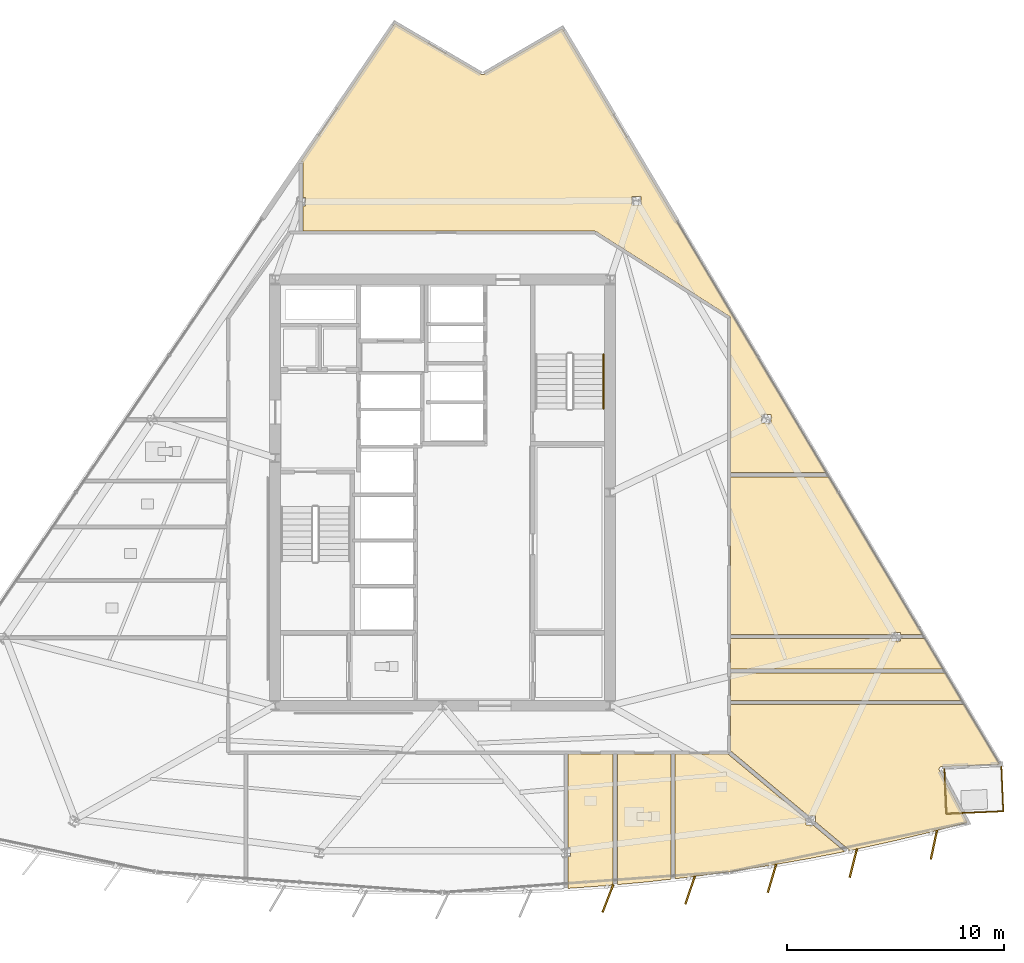
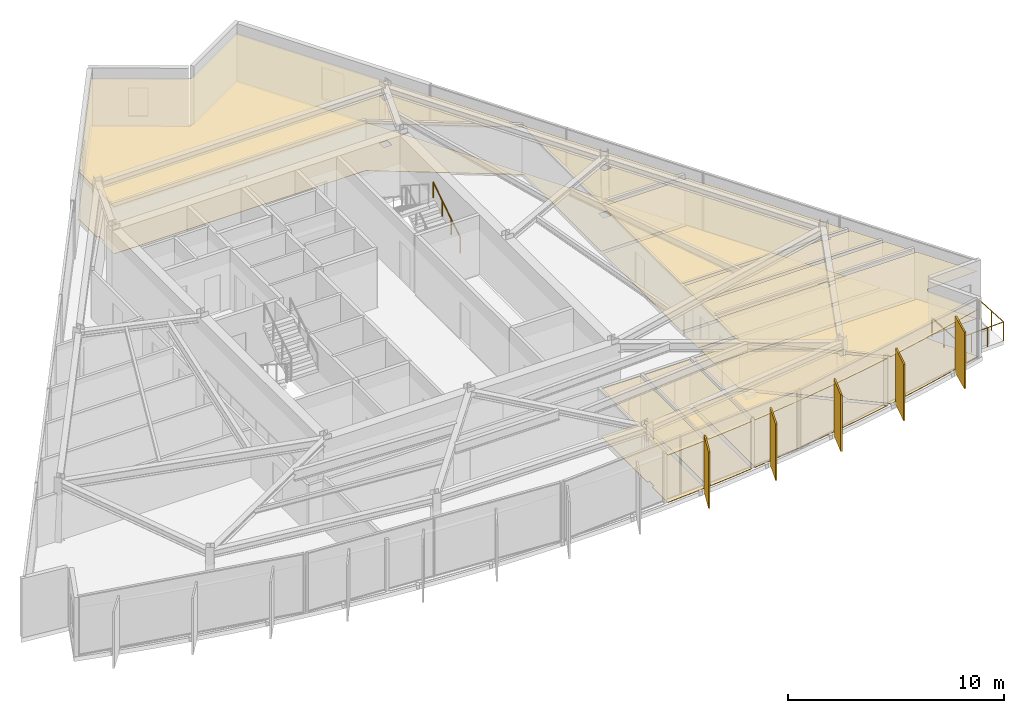
# One storey, part 14 of 15: 16 coverings, 5 shading devices, 4 railings.
"""IFC4 building model written with IfcOpenShell, lengths in metres."""

from ifc_helpers import new_model, si_unit, direction, frame, origin, origin_2d, place, context, subcontext, project, spatial, polyline, rectangle, circle, outline, extrude, material, layer, layer_set, type_object, element, save


model = new_model("IFC4")

# Units and contexts
model_context = context("Model", 3, precision=1e-05, world=origin(), true_north=direction((0.0, 1.0)))
body_context = subcontext(model_context, "Body", "Model", "MODEL_VIEW")
ifc_project = project(units=[si_unit("LENGTHUNIT", "METRE"), si_unit("AREAUNIT", "SQUARE_METRE"), si_unit("VOLUMEUNIT", "CUBIC_METRE"), si_unit("PLANEANGLEUNIT", "RADIAN"), si_unit("MASSUNIT", "GRAM", prefix="KILO")], contexts=[model_context])

# Site, building, storey
site_placement = place(None, origin())
site = spatial("IfcSite", under=ifc_project, at=site_placement, CompositionType="ELEMENT")
building_placement = place(site_placement, origin())
building = spatial("IfcBuilding", under=site, at=building_placement, Name="Savorim Split Tower", CompositionType="ELEMENT")
storey_placement = place(building_placement, frame((0.0, 0.0, 198.300048828125)))
storey = spatial("IfcBuildingStorey", under=building, at=storey_placement, Name="L52", CompositionType="ELEMENT", Elevation=198.300048828125)

# Coverings
ifc_material_1 = material(Name="Mineral Fibre Acoustic Ceiling")
ifc_layer_1 = layer(ifc_material_1, 0.02490234375)
ifc_layer_set_1 = layer_set([ifc_layer_1], Name="COV-CEIL-25")
covering_type_1 = type_object("IfcCoveringType", Name="COV-CEIL-25", PredefinedType="CEILING", material=ifc_layer_set_1)
covering_1_placement = place(storey_placement, frame((0.0, 0.0, 2.669921875)))
element("IfcCovering", 1, at=covering_1_placement, inside=storey, type_object=covering_type_1, Name="L52 Shared Kitchen Acoustic Ceiling", PredefinedType="CEILING", context=body_context, shape_type="SweptSolid", body=[
    extrude(outline(polyline([(5.76953125, -17.7578125), (5.76953125, -17.801025390625), (7.55078125, -17.673095703125), (7.84716796875, -17.645751953125), (7.84716796875, -11.6201171875), (5.76953125, -11.6201171875), (5.76953125, -15.921630859375), (5.883544921875, -15.921630859375), (5.883544921875, -16.32861328125), (5.76953125, -16.32861328125), (5.76953125, -17.7578125)])), origin(), (0.0, 0.0, 1.0), 0.025146484375),
])
covering_2_placement = place(storey_placement, frame((0.0, 0.0, 2.669921875)))
element("IfcCovering", 2, at=covering_2_placement, inside=storey, type_object=covering_type_1, Name="L52 Shared Bathroom Acoustic Ceiling", PredefinedType="CEILING", context=body_context, shape_type="SweptSolid", body=[
    extrude(outline(polyline([(8.037109375, -11.6201171875), (8.037109375, -17.62841796875), (9.4326171875, -17.49951171875), (10.5048828125, -17.378173828125), (10.5048828125, -11.6201171875), (8.037109375, -11.6201171875)])), origin(), (0.0, 0.0, 1.0), 0.025146484375),
])
covering_3_placement = place(storey_placement, frame((0.0, 0.0, 2.669921875)))
element("IfcCovering", 3, at=covering_3_placement, inside=storey, type_object=covering_type_1, Name="L52 Shared Kitchen Acoustic Ceiling", PredefinedType="CEILING", context=body_context, shape_type="SweptSolid", body=[
    extrude(outline(polyline([(11.310302734375, -17.287109375), (13.18359375, -17.03662109375), (15.051025390625, -16.74755859375), (16.912353515625, -16.420654296875), (18.49365234375, -16.109130859375), (17.026611328125, -14.88330078125), (16.72216796875, -14.88330078125), (16.72216796875, -14.62890625), (13.147216796875, -11.6416015625), (13.119384765625, -11.618408203125), (13.11376953125, -11.619384765625), (13.10009765625, -11.6201171875), (10.69482421875, -11.6201171875), (10.69482421875, -17.356689453125), (11.310302734375, -17.287109375)])), origin(), (0.0, 0.0, 1.0), 0.025146484375),
])
covering_4_placement = place(storey_placement, frame((0.0, 0.0, 2.669921875)))
element("IfcCovering", 4, at=covering_4_placement, inside=storey, type_object=covering_type_1, Name="L52 Co-Working Commons Acoustic Ceiling", PredefinedType="CEILING", context=body_context, shape_type="SweptSolid", body=[
    extrude(outline(polyline([(22.926513671875, -12.2060546875), (22.93798828125, -12.203857421875), (22.949462890625, -12.202880859375), (25.611083984375, -12.089599609375), (23.978759765625, -9.34423828125), (13.239990234375, -9.34423828125), (13.239990234375, -11.4716796875), (16.8359375, -14.476318359375), (17.14013671875, -14.476318359375), (17.14013671875, -14.730712890625), (18.625, -15.971435546875), (18.697998046875, -16.032470703125), (18.661376953125, -16.076171875), (18.7666015625, -16.055419921875), (20.61279296875, -15.652587890625), (22.450439453125, -15.2119140625), (24.132568359375, -14.772216796875), (22.848876953125, -12.37939453125), (22.84375, -12.368896484375), (22.83984375, -12.358154296875), (22.8369140625, -12.346923828125), (22.835205078125, -12.335693359375), (22.83447265625, -12.32421875), (22.8349609375, -12.3125), (22.83642578125, -12.301025390625), (22.839111328125, -12.289794921875), (22.8427734375, -12.27880859375), (22.847412109375, -12.268310546875), (22.853271484375, -12.25830078125), (22.85986328125, -12.248779296875), (22.867431640625, -12.240234375), (22.875732421875, -12.232177734375), (22.884765625, -12.22509765625), (22.89453125, -12.21875), (22.90478515625, -12.21337890625), (22.91552734375, -12.209228515625), (22.926513671875, -12.2060546875)])), origin(), (0.0, 0.0, 1.0), 0.025146484375),
])
covering_5_placement = place(storey_placement, frame((0.0, 0.0, 2.669921875)))
element("IfcCovering", 5, at=covering_5_placement, inside=storey, type_object=covering_type_1, Name="L52 Co-Living Bedroom Acoustic Ceiling", PredefinedType="CEILING", context=body_context, shape_type="SweptSolid", body=[
    extrude(outline(polyline([(23.86572265625, -9.154296875), (23.115966796875, -7.893310546875), (13.239990234375, -7.893310546875), (13.239990234375, -9.154296875), (23.86572265625, -9.154296875)])), origin(), (0.0, 0.0, 1.0), 0.025146484375),
])
covering_6_placement = place(storey_placement, frame((0.0, 0.0, 2.669921875)))
element("IfcCovering", 6, at=covering_6_placement, inside=storey, type_object=covering_type_1, Name="L52 Quiet Study Room Acoustic Ceiling", PredefinedType="CEILING", context=body_context, shape_type="SweptSolid", body=[
    extrude(outline(polyline([(20.634033203125, -6.42919921875), (20.634033203125, -6.320556640625), (13.239990234375, -6.320556640625), (13.239990234375, -7.703125), (23.0029296875, -7.703125), (22.1611328125, -6.28759765625), (22.1611328125, -6.320556640625), (21.052001953125, -6.320556640625), (21.052001953125, -6.42919921875), (20.634033203125, -6.42919921875)])), origin(), (0.0, 0.0, 1.0), 0.025146484375),
])
covering_7_placement = place(storey_placement, frame((0.0, 0.0, 2.669921875)))
element("IfcCovering", 7, at=covering_7_placement, inside=storey, type_object=covering_type_1, Name="L52 Maker Workshop Acoustic Ceiling", PredefinedType="CEILING", context=body_context, shape_type="SweptSolid", body=[
    extrude(outline(polyline([(21.052001953125, -6.130615234375), (22.066162109375, -6.130615234375), (22.06787109375, -6.130615234375), (17.752197265625, 1.12744140625), (13.239990234375, 1.12744140625), (13.239990234375, -6.130615234375), (20.634033203125, -6.130615234375), (20.634033203125, -6.022216796875), (21.052001953125, -6.022216796875), (21.052001953125, -6.130615234375)])), origin(), (0.0, 0.0, 1.0), 0.025146484375),
])
covering_8_placement = place(storey_placement, frame((0.0, 0.0, 2.669921875)))
element("IfcCovering", 8, at=covering_8_placement, inside=storey, type_object=covering_type_1, Name="L52 Co-Working Commons Acoustic Ceiling", PredefinedType="CEILING", context=body_context, shape_type="SweptSolid", body=[
    extrude(outline(polyline([(1.800537109375, 19.626708984375), (1.789794921875, 19.631103515625), (1.779541015625, 19.636474609375), (-2.197021484375, 21.9736328125), (-6.514404296875, 15.626708984375), (-6.423583984375, 15.626708984375), (-6.423583984375, 13.9794921875), (-6.309814453125, 13.9794921875), (-6.309814453125, 13.572509765625), (-6.423583984375, 13.572509765625), (-6.423583984375, 12.419921875), (7.0, 12.419921875), (7.01318359375, 12.41943359375), (7.0263671875, 12.41748046875), (7.0390625, 12.414306640625), (7.051513671875, 12.41015625), (7.063720703125, 12.40478515625), (7.0751953125, 12.398193359375), (13.175048828125, 8.51806640625), (13.1865234375, 8.510009765625), (13.197265625, 8.500732421875), (13.206787109375, 8.490478515625), (13.21533203125, 8.479248046875), (13.22265625, 8.46728515625), (13.22900390625, 8.45458984375), (13.233642578125, 8.44140625), (13.2373046875, 8.427978515625), (13.2392578125, 8.4140625), (13.239990234375, 8.39990234375), (13.239990234375, 1.3173828125), (17.63916015625, 1.3173828125), (5.499267578125, 21.7333984375), (1.90087890625, 19.63623046875), (1.890625, 19.631103515625), (1.8798828125, 19.626708984375), (1.868896484375, 19.623291015625), (1.857421875, 19.62109375), (1.845947265625, 19.6201171875), (1.83447265625, 19.6201171875), (1.822998046875, 19.621337890625), (1.8115234375, 19.62353515625), (1.800537109375, 19.626708984375)]), holes=[polyline([(15.0908203125, 3.595947265625), (15.0908203125, 4.0029296875), (14.6728515625, 4.0029296875), (14.6728515625, 3.595947265625), (15.0908203125, 3.595947265625)]), polyline([(9.129638671875, 14.0283203125), (8.711669921875, 14.0283203125), (8.711669921875, 13.62109375), (9.129638671875, 13.62109375), (9.129638671875, 14.0283203125)])]), origin(), (0.0, 0.0, 1.0), 0.025146484375),
])
ifc_material_2 = material(Name="Porcelain Stoneware Flooring", Category="masonry")
ifc_layer_2 = layer(ifc_material_2, 0.02001953125)
ifc_layer_set_2 = layer_set([ifc_layer_2], Name="COV-FLOR-20")
covering_type_2 = type_object("IfcCoveringType", Name="COV-FLOR-20", PredefinedType="FLOORING", material=ifc_layer_set_2)
covering_9_placement = place(storey_placement, origin())
element("IfcCovering", 9, at=covering_9_placement, inside=storey, type_object=covering_type_2, Name="L52 Shared Kitchen Porcelain Flooring", PredefinedType="FLOORING", context=body_context, shape_type="SweptSolid", body=[
    extrude(outline(polyline([(5.76953125, -17.7578125), (5.76953125, -17.801025390625), (7.55078125, -17.673095703125), (7.84716796875, -17.645751953125), (7.84716796875, -11.6201171875), (5.76953125, -11.6201171875), (5.76953125, -15.921630859375), (5.883544921875, -15.921630859375), (5.883544921875, -16.32861328125), (5.76953125, -16.32861328125), (5.76953125, -17.7578125)])), origin(), (0.0, 0.0, 1.0), 0.02001953125),
])
covering_10_placement = place(storey_placement, origin())
element("IfcCovering", 10, at=covering_10_placement, inside=storey, type_object=covering_type_2, Name="L52 Shared Bathroom Porcelain Flooring", PredefinedType="FLOORING", context=body_context, shape_type="SweptSolid", body=[
    extrude(outline(polyline([(8.037109375, -11.6201171875), (8.037109375, -17.62841796875), (9.4326171875, -17.49951171875), (10.5048828125, -17.378173828125), (10.5048828125, -11.6201171875), (8.037109375, -11.6201171875)])), origin(), (0.0, 0.0, 1.0), 0.02001953125),
])
covering_11_placement = place(storey_placement, origin())
element("IfcCovering", 11, at=covering_11_placement, inside=storey, type_object=covering_type_2, Name="L52 Shared Kitchen Porcelain Flooring", PredefinedType="FLOORING", context=body_context, shape_type="SweptSolid", body=[
    extrude(outline(polyline([(11.310302734375, -17.287109375), (13.18359375, -17.03662109375), (15.051025390625, -16.74755859375), (16.912353515625, -16.420654296875), (18.49365234375, -16.109130859375), (17.026611328125, -14.88330078125), (16.72216796875, -14.88330078125), (16.72216796875, -14.62890625), (13.147216796875, -11.6416015625), (13.119384765625, -11.618408203125), (13.11376953125, -11.619384765625), (13.10009765625, -11.6201171875), (10.69482421875, -11.6201171875), (10.69482421875, -17.356689453125), (11.310302734375, -17.287109375)])), origin(), (0.0, 0.0, 1.0), 0.02001953125),
])
covering_12_placement = place(storey_placement, origin())
element("IfcCovering", 12, at=covering_12_placement, inside=storey, type_object=covering_type_2, Name="L52 Co-Working Commons Porcelain Flooring", PredefinedType="FLOORING", context=body_context, shape_type="SweptSolid", body=[
    extrude(outline(polyline([(22.926513671875, -12.2060546875), (22.93798828125, -12.203857421875), (22.949462890625, -12.202880859375), (25.611083984375, -12.089599609375), (23.978759765625, -9.34423828125), (13.239990234375, -9.34423828125), (13.239990234375, -11.4716796875), (16.8359375, -14.476318359375), (17.14013671875, -14.476318359375), (17.14013671875, -14.730712890625), (18.625, -15.971435546875), (18.697998046875, -16.032470703125), (18.661376953125, -16.076171875), (18.7666015625, -16.055419921875), (20.61279296875, -15.652587890625), (22.450439453125, -15.2119140625), (24.132568359375, -14.772216796875), (22.848876953125, -12.37939453125), (22.84375, -12.368896484375), (22.83984375, -12.358154296875), (22.8369140625, -12.346923828125), (22.835205078125, -12.335693359375), (22.83447265625, -12.32421875), (22.8349609375, -12.3125), (22.83642578125, -12.301025390625), (22.839111328125, -12.289794921875), (22.8427734375, -12.27880859375), (22.847412109375, -12.268310546875), (22.853271484375, -12.25830078125), (22.85986328125, -12.248779296875), (22.867431640625, -12.240234375), (22.875732421875, -12.232177734375), (22.884765625, -12.22509765625), (22.89453125, -12.21875), (22.90478515625, -12.21337890625), (22.91552734375, -12.209228515625), (22.926513671875, -12.2060546875)])), origin(), (0.0, 0.0, 1.0), 0.02001953125),
])
covering_13_placement = place(storey_placement, origin())
element("IfcCovering", 13, at=covering_13_placement, inside=storey, type_object=covering_type_2, Name="L52 Co-Living Bedroom Porcelain Flooring", PredefinedType="FLOORING", context=body_context, shape_type="SweptSolid", body=[
    extrude(outline(polyline([(23.86572265625, -9.154296875), (23.115966796875, -7.893310546875), (13.239990234375, -7.893310546875), (13.239990234375, -9.154296875), (23.86572265625, -9.154296875)])), origin(), (0.0, 0.0, 1.0), 0.02001953125),
])
covering_14_placement = place(storey_placement, origin())
element("IfcCovering", 14, at=covering_14_placement, inside=storey, type_object=covering_type_2, Name="L52 Quiet Study Room Porcelain Flooring", PredefinedType="FLOORING", context=body_context, shape_type="SweptSolid", body=[
    extrude(outline(polyline([(20.634033203125, -6.42919921875), (20.634033203125, -6.320556640625), (13.239990234375, -6.320556640625), (13.239990234375, -7.703125), (23.0029296875, -7.703125), (22.1611328125, -6.28759765625), (22.1611328125, -6.320556640625), (21.052001953125, -6.320556640625), (21.052001953125, -6.42919921875), (20.634033203125, -6.42919921875)])), origin(), (0.0, 0.0, 1.0), 0.02001953125),
])
covering_15_placement = place(storey_placement, origin())
element("IfcCovering", 15, at=covering_15_placement, inside=storey, type_object=covering_type_2, Name="L52 Maker Workshop Porcelain Flooring", PredefinedType="FLOORING", context=body_context, shape_type="SweptSolid", body=[
    extrude(outline(polyline([(21.052001953125, -6.130615234375), (22.066162109375, -6.130615234375), (22.06787109375, -6.130615234375), (17.752197265625, 1.12744140625), (13.239990234375, 1.12744140625), (13.239990234375, -6.130615234375), (20.634033203125, -6.130615234375), (20.634033203125, -6.022216796875), (21.052001953125, -6.022216796875), (21.052001953125, -6.130615234375)])), origin(), (0.0, 0.0, 1.0), 0.02001953125),
])
covering_16_placement = place(storey_placement, origin())
element("IfcCovering", 16, at=covering_16_placement, inside=storey, type_object=covering_type_2, Name="L52 Co-Working Commons Porcelain Flooring", PredefinedType="FLOORING", context=body_context, shape_type="SweptSolid", body=[
    extrude(outline(polyline([(1.800537109375, 19.626708984375), (1.789794921875, 19.631103515625), (1.779541015625, 19.636474609375), (-2.197021484375, 21.9736328125), (-6.514404296875, 15.626708984375), (-6.423583984375, 15.626708984375), (-6.423583984375, 13.9794921875), (-6.309814453125, 13.9794921875), (-6.309814453125, 13.572509765625), (-6.423583984375, 13.572509765625), (-6.423583984375, 12.419921875), (7.0, 12.419921875), (7.01318359375, 12.41943359375), (7.0263671875, 12.41748046875), (7.0390625, 12.414306640625), (7.051513671875, 12.41015625), (7.063720703125, 12.40478515625), (7.0751953125, 12.398193359375), (13.175048828125, 8.51806640625), (13.1865234375, 8.510009765625), (13.197265625, 8.500732421875), (13.206787109375, 8.490478515625), (13.21533203125, 8.479248046875), (13.22265625, 8.46728515625), (13.22900390625, 8.45458984375), (13.233642578125, 8.44140625), (13.2373046875, 8.427978515625), (13.2392578125, 8.4140625), (13.239990234375, 8.39990234375), (13.239990234375, 1.3173828125), (17.63916015625, 1.3173828125), (5.499267578125, 21.7333984375), (1.90087890625, 19.63623046875), (1.890625, 19.631103515625), (1.8798828125, 19.626708984375), (1.868896484375, 19.623291015625), (1.857421875, 19.62109375), (1.845947265625, 19.6201171875), (1.83447265625, 19.6201171875), (1.822998046875, 19.621337890625), (1.8115234375, 19.62353515625), (1.800537109375, 19.626708984375)]), holes=[polyline([(15.0908203125, 3.595947265625), (15.0908203125, 4.0029296875), (14.6728515625, 4.0029296875), (14.6728515625, 3.595947265625), (15.0908203125, 3.595947265625)]), polyline([(9.129638671875, 14.0283203125), (8.711669921875, 14.0283203125), (8.711669921875, 13.62109375), (9.129638671875, 13.62109375), (9.129638671875, 14.0283203125)])]), origin(), (0.0, 0.0, 1.0), 0.02001953125),
])

# Railings
ifc_material_3 = material(Name="Galvanised Painted Steel Balustrade", Category="steel")
railing_type_1 = type_object("IfcRailingType", Name="RLG-BAL-1100", PredefinedType="BALUSTRADE", material=ifc_material_3)
railing_1_placement = place(storey_placement, frame((25.697021484375, -12.2060546875, 0.0)))
element("IfcRailing", 17, at=railing_1_placement, inside=storey, type_object=railing_type_1, Name="L52 Tree Balcony Guardrail SE-1", PredefinedType="BALUSTRADE", context=body_context, shape_type="SweptSolid", body=[
    extrude(circle(Radius=0.02392578125, at=origin_2d()), frame((0.0, 0.0, 1.076171875), z_axis=(0.042517246, -0.999095733047, 0.0), x_axis=(0.999095733047, 0.042517246, 0.0)), (0.0, 0.0, 1.0), 2.050048828125),
    extrude(circle(Radius=0.02099609375, at=origin_2d()), origin(), (0.0, 0.0, 1.0), 1.052001953125),
    extrude(circle(Radius=0.02099609375, at=origin_2d()), frame((0.04345703125, -1.02392578125, 0.0)), (0.0, 0.0, 1.0), 1.052001953125),
    extrude(circle(Radius=0.02099609375, at=origin_2d()), frame((0.087158203125, -2.048095703125, 0.0)), (0.0, 0.0, 1.0), 1.052001953125),
])
railing_2_placement = place(storey_placement, frame((25.7841796875, -14.254150390625, 0.0)))
element("IfcRailing", 18, at=railing_2_placement, inside=storey, type_object=railing_type_1, Name="L52 Tree Balcony Guardrail SE-2", PredefinedType="BALUSTRADE", context=body_context, shape_type="SweptSolid", body=[
    extrude(circle(Radius=0.02392578125, at=origin_2d()), frame((0.0, 0.0, 1.076171875), z_axis=(-0.999096260916, -0.042504839996, 0.0), x_axis=(0.042504839996, -0.999096260916, 0.0)), (0.0, 0.0, 1.0), 2.625),
    extrude(circle(Radius=0.02099609375, at=origin_2d()), origin(), (0.0, 0.0, 1.0), 1.052001953125),
    extrude(circle(Radius=0.02099609375, at=origin_2d()), frame((-0.874267578125, -0.037109375, 0.0)), (0.0, 0.0, 1.0), 1.052001953125),
    extrude(circle(Radius=0.02099609375, at=origin_2d()), frame((-1.748291015625, -0.074462890625, 0.0)), (0.0, 0.0, 1.0), 1.052001953125),
    extrude(circle(Radius=0.02099609375, at=origin_2d()), frame((-2.62255859375, -0.111572265625, 0.0)), (0.0, 0.0, 1.0), 1.052001953125),
])
railing_3_placement = place(storey_placement, frame((23.16162109375, -14.36572265625, 0.0)))
element("IfcRailing", 19, at=railing_3_placement, inside=storey, type_object=railing_type_1, Name="L52 Tree Balcony Guardrail SE-3", PredefinedType="BALUSTRADE", context=body_context, shape_type="SweptSolid", body=[
    extrude(circle(Radius=0.02392578125, at=origin_2d()), frame((0.0, 0.0, 1.076171875), z_axis=(-0.042517246, 0.999095733047, 0.0), x_axis=(-0.999095733047, -0.042517246, 0.0)), (0.0, 0.0, 1.0), 2.050048828125),
    extrude(circle(Radius=0.02099609375, at=origin_2d()), origin(), (0.0, 0.0, 1.0), 1.052001953125),
    extrude(circle(Radius=0.02099609375, at=origin_2d()), frame((-0.04345703125, 1.02392578125, 0.0)), (0.0, 0.0, 1.0), 1.052001953125),
    extrude(circle(Radius=0.02099609375, at=origin_2d()), frame((-0.087158203125, 2.048095703125, 0.0)), (0.0, 0.0, 1.0), 1.052001953125),
])
railing_type_2 = type_object("IfcRailingType", Name="RLG-HR-900", PredefinedType="HANDRAIL", material=ifc_material_3)
railing_4_placement = place(storey_placement, frame((7.39990234375, 4.25, 0.179931640625)))
element("IfcRailing", 20, at=railing_4_placement, inside=storey, type_object=railing_type_2, Name="L52 ST-2 stair handrail 1", PredefinedType="HANDRAIL", context=body_context, shape_type="SweptSolid", body=[
    extrude(circle(Radius=0.02392578125, at=origin_2d()), frame((0.0, 0.0, 0.8759765625), z_axis=(0.0, 0.841162588446, 0.540782303519), x_axis=(-1.0, 0.0, 0.0)), (0.0, 0.0, 1.0), 2.995849609375),
    extrude(circle(Radius=0.02099609375, at=origin_2d()), origin(), (0.0, 0.0, 1.0), 0.851806640625),
    extrude(circle(Radius=0.02099609375, at=origin_2d()), frame((0.0, 0.840087890625, 0.5400390625)), (0.0, 0.0, 1.0), 0.851806640625),
    extrude(circle(Radius=0.02099609375, at=origin_2d()), frame((0.0, 1.679931640625, 1.080078125)), (0.0, 0.0, 1.0), 0.851806640625),
    extrude(circle(Radius=0.02099609375, at=origin_2d()), frame((0.0, 2.52001953125, 1.6201171875)), (0.0, 0.0, 1.0), 0.851806640625),
])

# Shading devices
ifc_material_4 = material(Name="Terracotta Ceramic-Coated Aluminium Fin", Category="masonry")
shading_device_type = type_object("IfcShadingDeviceType", Name="SHD-FIN-1360", PredefinedType="USERDEFINED", material=ifc_material_4)
for number, where, z_axis, x_axis, name in (
    (21, (7.599609375, -18.26708984375, -0.2001953125), (0.0, 0.0, 1.0), (-0.363415461732, -0.931627179817, 0.0), "L52 Sawtooth Shading Fin 09"),
    (22, (11.38330078125, -17.878662109375, -0.2001953125), (0.0, 0.0, 1.0), (-0.324993810493, -0.945716143005, 0.0), "L52 Sawtooth Shading Fin 10"),
    (23, (15.148193359375, -17.335693359375, -0.2001953125), (0.0, 0.0, 1.0), (-0.286026212504, -0.958221793616, 0.0), "L52 Sawtooth Shading Fin 11"),
    (24, (18.8876953125, -16.63916015625, -0.2001953125), (0.0, 0.0, 1.0), (-0.246581250663, -0.969122121727, 0.0), "L52 Sawtooth Shading Fin 12"),
    (25, (22.595458984375, -15.7900390625, -0.2001953125), (0.0, 0.0, 1.0), (-0.206721626106, -0.978399800337, 0.0), "L52 Sawtooth Shading Fin 13"),
):
    element("IfcShadingDevice", number, at=place(storey_placement, frame(where, z_axis=z_axis, x_axis=x_axis)), inside=storey, type_object=shading_device_type, Name=name, ObjectType="FIN", PredefinedType="USERDEFINED", context=body_context, shape_type="SweptSolid", body=[
        extrude(rectangle(XDim=1.360107421875, YDim=0.080078125, at=origin_2d()), origin(), (0.0, 0.0, 1.0), 3.199951171875),
    ])

save(model, "model.ifc")
